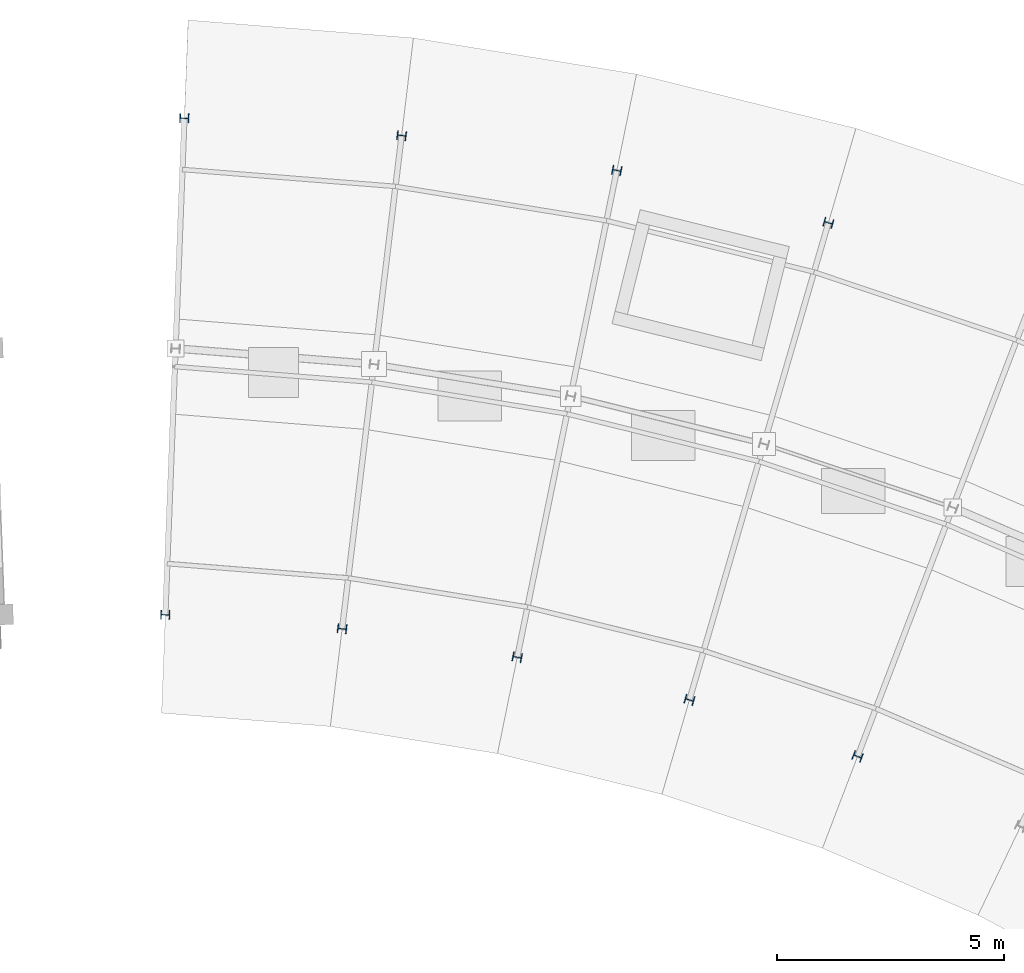
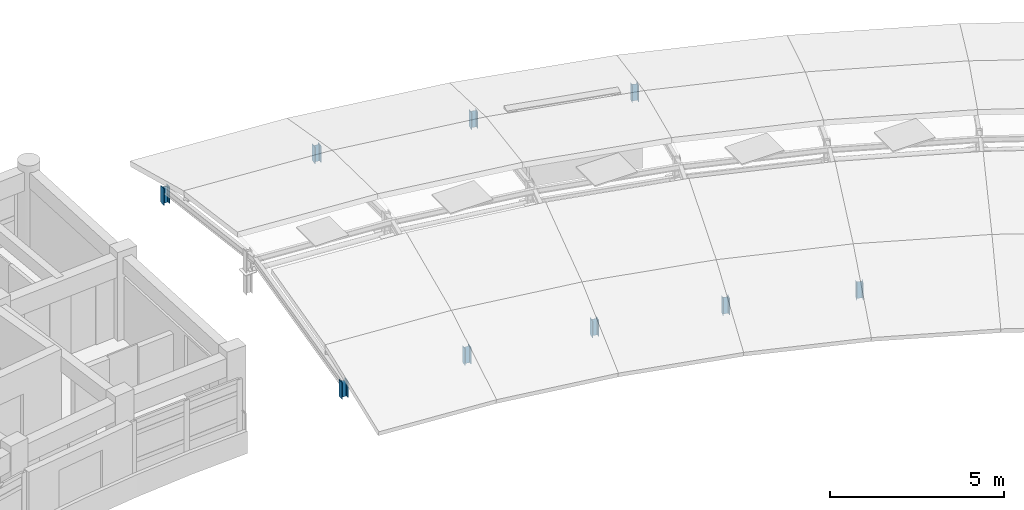
# One storey, part 4 of 20: 9 columns.
"""IFC4 building model written with IfcOpenShell, lengths in metres."""

from ifc_helpers import new_model, si_unit, direction, frame, origin, origin_2d, place, context, subcontext, project, spatial, i_section, extrude, material, material_profile, profile_set, type_object, element, save


model = new_model("IFC4")

# Units and contexts
model_context = context("Model", 3, precision=1e-05, world=origin(), true_north=direction((0.0, 1.0)))
body_context = subcontext(model_context, "Body", "Model", "MODEL_VIEW")
ifc_project = project(units=[si_unit("LENGTHUNIT", "METRE"), si_unit("AREAUNIT", "SQUARE_METRE"), si_unit("VOLUMEUNIT", "CUBIC_METRE"), si_unit("PLANEANGLEUNIT", "RADIAN"), si_unit("MASSUNIT", "GRAM", prefix="KILO")], contexts=[model_context])

# Site, building, storey
site_placement = place(None, origin())
site = spatial("IfcSite", under=ifc_project, at=site_placement, CompositionType="ELEMENT")
building_placement = place(site_placement, origin())
building = spatial("IfcBuilding", under=site, at=building_placement, Name="Zimvara Arc Housing Community", CompositionType="ELEMENT")
storey_placement = place(building_placement, frame((0.0, 0.0, 39.10009765625)))
storey = spatial("IfcBuildingStorey", under=building, at=storey_placement, Name="L12", CompositionType="ELEMENT", Elevation=39.10009765625)

# Columns
ifc_material = material(Name="Steel S355", Category="steel")
ifc_material_profile = material_profile(ifc_material, i_section(OverallWidth=0.199951171875, OverallDepth=0.199951171875, WebThickness=0.009033203125, FlangeThickness=0.014892578125, FilletRadius=0.01806640625, at=origin_2d()), Name="HEB 200")
ifc_profile_set = profile_set([ifc_material_profile], Name="Steel S355")
column_type = type_object("IfcColumnType", Name="COL-ST-HEB200", PredefinedType="COLUMN", material=ifc_profile_set)
for number, where, z_axis, x_axis, name in (
    (1, (46.839599609375, 92.384765625, 0.0), (0.0, 0.0, 1.0), (0.038387809088, 0.999262916411, 0.0), "col:blkB:L12:ribpost1:g0"),
    (2, (47.26025390625, 103.336669921875, 0.0), (0.0, 0.0, 1.0), (0.038387809088, 0.999262916411, 0.0), "col:blkB:L12:ribpost3:g0"),
    (3, (50.740234375, 92.074951171875, 0.0), (0.0, 0.0, 1.0), (0.119790293837, 0.992799217114, 0.0), "col:blkB:L12:ribpost1:g1"),
    (4, (52.05322265625, 102.9560546875, 0.0), (0.0, 0.0, 1.0), (0.119790293837, 0.992799217114, 0.0), "col:blkB:L12:ribpost3:g1"),
    (5, (54.602783203125, 91.447998046875, 0.0), (0.0, 0.0, 1.0), (0.200393999665, 0.979715389742, 0.0), "col:blkB:L12:ribpost1:g2"),
    (6, (56.79931640625, 102.185546875, 0.0), (0.0, 0.0, 1.0), (0.200393999665, 0.979715389742, 0.0), "col:blkB:L12:ribpost3:g2"),
    (7, (58.4013671875, 90.5078125, 0.0), (0.0, 0.0, 1.0), (0.27966144946, 0.96009867914, 0.0), "col:blkB:L12:ribpost1:g3"),
    (8, (61.466552734375, 101.030517578125, 0.0), (0.0, 0.0, 1.0), (0.27966144946, 0.96009867914, 0.0), "col:blkB:L12:ribpost3:g3"),
    (9, (62.110595703125, 89.260986328125, 0.0), (0.0, 0.0, 1.0), (0.357064076459, 0.934079892355, 0.0), "col:blkB:L12:ribpost1:g4"),
):
    element("IfcColumn", number, at=place(storey_placement, frame(where, z_axis=z_axis, x_axis=x_axis)), inside=storey, type_object=column_type, Name=name, PredefinedType="COLUMN", context=body_context, shape_type="SweptSolid", body=[
        extrude(i_section(OverallWidth=0.199951171875, OverallDepth=0.199951171875, WebThickness=0.009033203125, FlangeThickness=0.014892578125, FilletRadius=0.01806640625, at=origin_2d()), origin(), (0.0, 0.0, 1.0), 0.58251953125),
    ])

save(model, "model.ifc")
